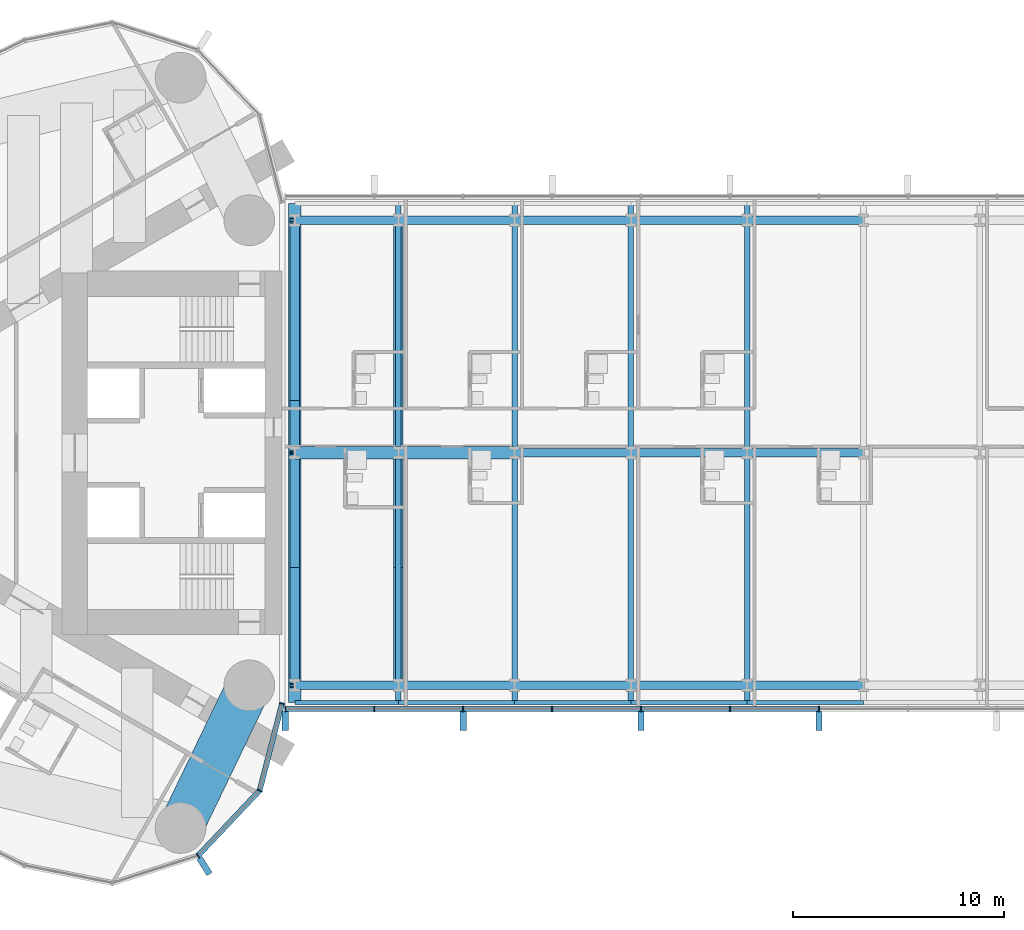
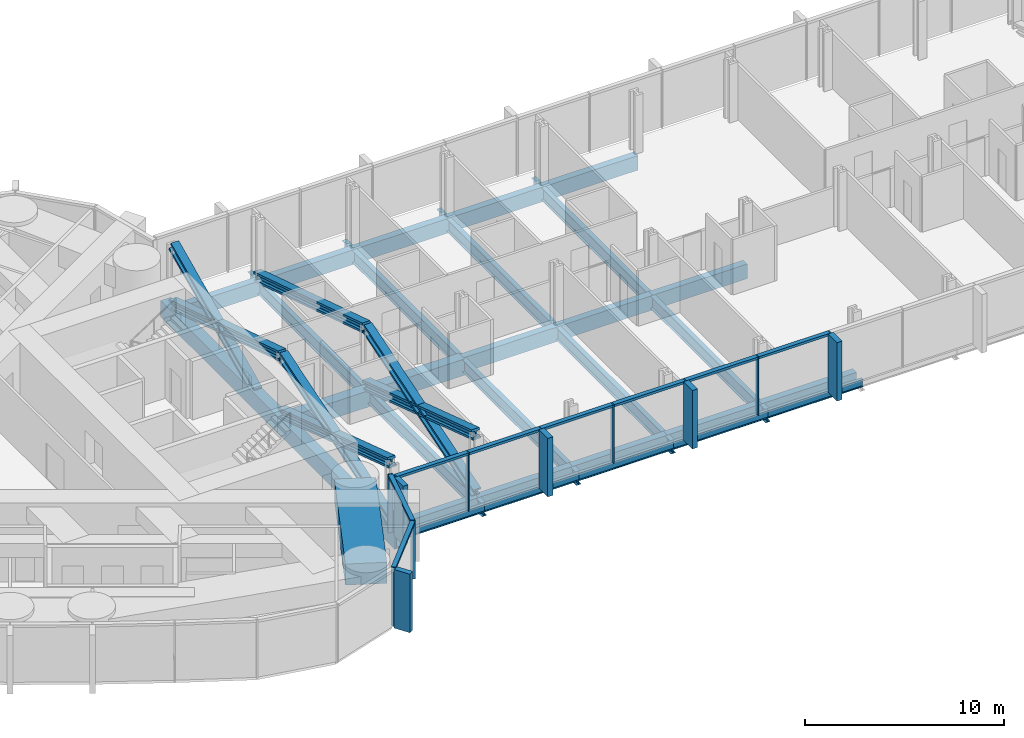
# One storey, part 4 of 22: 31 beams, 30 members, 2 elements without a shape of their own.
"""IFC4 building model written with IfcOpenShell, lengths in metres."""

from ifc_helpers import new_model, si_unit, direction, frame, origin, origin_2d, place, context, subcontext, project, spatial, rectangle, hollow_rectangle, i_section, extrude, material, material_profile, profile_set, type_object, element, aggregate, save


model = new_model("IFC4")

# Units and contexts
model_context = context("Model", 3, precision=1e-05, world=origin(), true_north=direction((0.0, 1.0)))
body_context = subcontext(model_context, "Body", "Model", "MODEL_VIEW")
ifc_project = project(units=[si_unit("LENGTHUNIT", "METRE"), si_unit("AREAUNIT", "SQUARE_METRE"), si_unit("VOLUMEUNIT", "CUBIC_METRE"), si_unit("PLANEANGLEUNIT", "RADIAN"), si_unit("MASSUNIT", "GRAM", prefix="KILO")], contexts=[model_context])

# Site, building, storey
site_placement = place(None, origin())
site = spatial("IfcSite", under=ifc_project, at=site_placement, CompositionType="ELEMENT")
building_placement = place(site_placement, origin())
building = spatial("IfcBuilding", under=site, at=building_placement, Name="Lancet Gate Hotel", CompositionType="ELEMENT")
storey_placement = place(building_placement, frame((0.0, 0.0, 229.699951171875)))
storey = spatial("IfcBuildingStorey", under=building, at=storey_placement, Name="L61", CompositionType="ELEMENT", Elevation=229.699951171875)

# Curtain wall, members
ifc_material_1 = material(Name="Aluminium curtain wall", Category="aluminium")
curtain_wall_type_1 = type_object("IfcCurtainWallType", Name="Tower unitised curtain wall", PredefinedType="USERDEFINED", material=ifc_material_1)
curtain_wall_1_placement = place(storey_placement, origin())
curtain_wall_1 = element("IfcCurtainWall", 1, at=curtain_wall_1_placement, inside=storey, type_object=curtain_wall_type_1, Name="T1 L61 curtain wall 1", ObjectType="UNITISED CURTAIN WALL", PredefinedType="USERDEFINED")
ifc_material_2 = material(Name="Aluminium mullion", Category="aluminium")
ifc_material_profile_1 = material_profile(ifc_material_2, rectangle(XDim=0.06494140625, YDim=0.25, at=origin_2d()), Name="MULLION 65x250")
ifc_profile_set_1 = profile_set([ifc_material_profile_1], Name="Aluminium mullion")
member_type_1 = type_object("IfcMemberType", Name="Aluminium mullion 65x250", PredefinedType="MULLION", material=ifc_profile_set_1)
member_1_placement = place(storey_placement, frame((-31.476318359375, -19.0576171875, 0.0), z_axis=(0.0, 0.0, 1.0), x_axis=(0.846612863, 0.532209225966, 0.0)))
member_1 = element("IfcMember", 2, at=member_1_placement, type_object=member_type_1, Name="T1 L61 curtain wall 1 mullion 23", PredefinedType="MULLION", context=body_context, shape_type="SweptSolid", body=[
    extrude(rectangle(XDim=0.06494140625, YDim=0.25, at=origin_2d()), origin(), (0.0, 0.0, 1.0), 3.60009765625),
])
member_2_placement = place(storey_placement, frame((-28.56005859375, -15.97216796875, 0.0), z_axis=(0.0, 0.0, 1.0), x_axis=(0.483627322447, 0.875274021654, 0.0)))
member_2 = element("IfcMember", 3, at=member_2_placement, type_object=member_type_1, Name="T1 L61 curtain wall 1 mullion 24", PredefinedType="MULLION", context=body_context, shape_type="SweptSolid", body=[
    extrude(rectangle(XDim=0.06494140625, YDim=0.25, at=origin_2d()), origin(), (0.0, 0.0, 1.0), 3.60009765625),
])
member_3_placement = place(storey_placement, frame((-27.5, -11.861572265625, 0.0), z_axis=(0.0, 0.0, 1.0), x_axis=(0.249725827997, 0.968316586056, 0.0)))
member_3 = element("IfcMember", 4, at=member_3_placement, type_object=member_type_1, Name="T1 L61 curtain wall 1 mullion 25", PredefinedType="MULLION", context=body_context, shape_type="SweptSolid", body=[
    extrude(rectangle(XDim=0.06494140625, YDim=0.25, at=origin_2d()), origin(), (0.0, 0.0, 1.0), 3.60009765625),
])

ifc_material_3 = material(Name="Aluminium curtain wall", Category="aluminium")
curtain_wall_type_2 = type_object("IfcCurtainWallType", Name="Bridge block curtain wall", PredefinedType="USERDEFINED", material=ifc_material_3)
curtain_wall_2_placement = place(storey_placement, origin())
curtain_wall_2 = element("IfcCurtainWall", 5, at=curtain_wall_2_placement, inside=storey, type_object=curtain_wall_type_2, Name="Bridge block L61 curtain wall S", ObjectType="UNITISED CURTAIN WALL", PredefinedType="USERDEFINED")
member_4_placement = place(storey_placement, frame((-27.35009765625, -12.1201171875, 0.0), z_axis=(0.0, 0.0, 1.0), x_axis=(1.0, 0.0, 0.0)))
member_4 = element("IfcMember", 6, at=member_4_placement, type_object=member_type_1, Name="Bridge block L61 curtain wall S mullion 1", PredefinedType="MULLION", context=body_context, shape_type="SweptSolid", body=[
    extrude(rectangle(XDim=0.06494140625, YDim=0.25, at=origin_2d()), origin(), (0.0, 0.0, 1.0), 3.60009765625),
])
member_5_placement = place(storey_placement, frame((-23.142333984375, -12.1201171875, 0.0), z_axis=(0.0, 0.0, 1.0), x_axis=(1.0, 0.0, 0.0)))
member_5 = element("IfcMember", 7, at=member_5_placement, type_object=member_type_1, Name="Bridge block L61 curtain wall S mullion 2", PredefinedType="MULLION", context=body_context, shape_type="SweptSolid", body=[
    extrude(rectangle(XDim=0.06494140625, YDim=0.25, at=origin_2d()), origin(), (0.0, 0.0, 1.0), 3.60009765625),
])
member_6_placement = place(storey_placement, frame((-18.9345703125, -12.1201171875, 0.0), z_axis=(0.0, 0.0, 1.0), x_axis=(1.0, 0.0, 0.0)))
member_6 = element("IfcMember", 8, at=member_6_placement, type_object=member_type_1, Name="Bridge block L61 curtain wall S mullion 3", PredefinedType="MULLION", context=body_context, shape_type="SweptSolid", body=[
    extrude(rectangle(XDim=0.06494140625, YDim=0.25, at=origin_2d()), origin(), (0.0, 0.0, 1.0), 3.60009765625),
])
member_7_placement = place(storey_placement, frame((-14.726806640625, -12.1201171875, 0.0), z_axis=(0.0, 0.0, 1.0), x_axis=(1.0, 0.0, 0.0)))
member_7 = element("IfcMember", 9, at=member_7_placement, type_object=member_type_1, Name="Bridge block L61 curtain wall S mullion 4", PredefinedType="MULLION", context=body_context, shape_type="SweptSolid", body=[
    extrude(rectangle(XDim=0.06494140625, YDim=0.25, at=origin_2d()), origin(), (0.0, 0.0, 1.0), 3.60009765625),
])
member_8_placement = place(storey_placement, frame((-10.519287109375, -12.1201171875, 0.0), z_axis=(0.0, 0.0, 1.0), x_axis=(1.0, 0.0, 0.0)))
member_8 = element("IfcMember", 10, at=member_8_placement, type_object=member_type_1, Name="Bridge block L61 curtain wall S mullion 5", PredefinedType="MULLION", context=body_context, shape_type="SweptSolid", body=[
    extrude(rectangle(XDim=0.06494140625, YDim=0.25, at=origin_2d()), origin(), (0.0, 0.0, 1.0), 3.60009765625),
])
member_9_placement = place(storey_placement, frame((-6.3115234375, -12.1201171875, 0.0), z_axis=(0.0, 0.0, 1.0), x_axis=(1.0, 0.0, 0.0)))
member_9 = element("IfcMember", 11, at=member_9_placement, type_object=member_type_1, Name="Bridge block L61 curtain wall S mullion 6", PredefinedType="MULLION", context=body_context, shape_type="SweptSolid", body=[
    extrude(rectangle(XDim=0.06494140625, YDim=0.25, at=origin_2d()), origin(), (0.0, 0.0, 1.0), 3.60009765625),
])
member_10_placement = place(storey_placement, frame((-2.103759765625, -12.1201171875, 0.0), z_axis=(0.0, 0.0, 1.0), x_axis=(1.0, 0.0, 0.0)))
member_10 = element("IfcMember", 12, at=member_10_placement, type_object=member_type_1, Name="Bridge block L61 curtain wall S mullion 7", PredefinedType="MULLION", context=body_context, shape_type="SweptSolid", body=[
    extrude(rectangle(XDim=0.06494140625, YDim=0.25, at=origin_2d()), origin(), (0.0, 0.0, 1.0), 3.60009765625),
])

# Member
ifc_material_4 = material(Name="Aluminium transom", Category="aluminium")
ifc_material_profile_2 = material_profile(ifc_material_4, rectangle(XDim=0.25, YDim=0.14990234375, at=origin_2d()), Name="TRANSOM 250x150")
ifc_profile_set_2 = profile_set([ifc_material_profile_2], Name="Aluminium transom")
member_type_2 = type_object("IfcMemberType", Name="Aluminium transom 250x150", PredefinedType="USERDEFINED", material=ifc_profile_set_2)
member_11_placement = place(storey_placement, frame((-31.453857421875, -19.033935546875, 3.525146484375), z_axis=(0.686880731091, 0.726770157103, 0.0), x_axis=(-0.726770157103, 0.686880731091, 0.0)))
member_11 = element("IfcMember", 13, at=member_11_placement, type_object=member_type_2, Name="T1 L61 curtain wall 1 transom 23", ObjectType="TRANSOM", PredefinedType="USERDEFINED", context=body_context, shape_type="SweptSolid", body=[
    extrude(rectangle(XDim=0.25, YDim=0.14990234375, at=origin_2d()), origin(), (0.0, 0.0, 1.0), 4.18017578125),
])

member_12_placement = place(storey_placement, frame((-28.552001953125, -15.94091796875, 3.525146484375), z_axis=(0.249715522936, 0.968319243641, 0.0), x_axis=(-0.968319243641, 0.249715522936, 0.0)))
member_12 = element("IfcMember", 14, at=member_12_placement, type_object=member_type_2, Name="T1 L61 curtain wall 1 transom 24", ObjectType="TRANSOM", PredefinedType="USERDEFINED", context=body_context, shape_type="SweptSolid", body=[
    extrude(rectangle(XDim=0.25, YDim=0.14990234375, at=origin_2d()), origin(), (0.0, 0.0, 1.0), 4.180419921875),
])

member_13_placement = place(storey_placement, frame((-27.3173828125, -12.1201171875, 3.525146484375), z_axis=(1.0, 0.0, 0.0), x_axis=(0.0, 1.0, 0.0)))
member_13 = element("IfcMember", 15, at=member_13_placement, type_object=member_type_2, Name="Bridge block L61 curtain wall S transom 1", ObjectType="TRANSOM", PredefinedType="USERDEFINED", context=body_context, shape_type="SweptSolid", body=[
    extrude(rectangle(XDim=0.25, YDim=0.14990234375, at=origin_2d()), origin(), (0.0, 0.0, 1.0), 4.142578125),
])

member_14_placement = place(storey_placement, frame((-23.10986328125, -12.1201171875, 3.525146484375), z_axis=(1.0, 0.0, 0.0), x_axis=(0.0, 1.0, 0.0)))
member_14 = element("IfcMember", 16, at=member_14_placement, type_object=member_type_2, Name="Bridge block L61 curtain wall S transom 2", ObjectType="TRANSOM", PredefinedType="USERDEFINED", context=body_context, shape_type="SweptSolid", body=[
    extrude(rectangle(XDim=0.25, YDim=0.14990234375, at=origin_2d()), origin(), (0.0, 0.0, 1.0), 4.142822265625),
])

member_15_placement = place(storey_placement, frame((-18.902099609375, -12.1201171875, 3.525146484375), z_axis=(1.0, 0.0, 0.0), x_axis=(0.0, 1.0, 0.0)))
member_15 = element("IfcMember", 17, at=member_15_placement, type_object=member_type_2, Name="Bridge block L61 curtain wall S transom 3", ObjectType="TRANSOM", PredefinedType="USERDEFINED", context=body_context, shape_type="SweptSolid", body=[
    extrude(rectangle(XDim=0.25, YDim=0.14990234375, at=origin_2d()), origin(), (0.0, 0.0, 1.0), 4.142578125),
])

member_16_placement = place(storey_placement, frame((-14.6943359375, -12.1201171875, 3.525146484375), z_axis=(1.0, 0.0, 0.0), x_axis=(0.0, 1.0, 0.0)))
member_16 = element("IfcMember", 18, at=member_16_placement, type_object=member_type_2, Name="Bridge block L61 curtain wall S transom 4", ObjectType="TRANSOM", PredefinedType="USERDEFINED", context=body_context, shape_type="SweptSolid", body=[
    extrude(rectangle(XDim=0.25, YDim=0.14990234375, at=origin_2d()), origin(), (0.0, 0.0, 1.0), 4.142578125),
])

member_17_placement = place(storey_placement, frame((-10.48681640625, -12.1201171875, 3.525146484375), z_axis=(1.0, 0.0, 0.0), x_axis=(0.0, 1.0, 0.0)))
member_17 = element("IfcMember", 19, at=member_17_placement, type_object=member_type_2, Name="Bridge block L61 curtain wall S transom 5", ObjectType="TRANSOM", PredefinedType="USERDEFINED", context=body_context, shape_type="SweptSolid", body=[
    extrude(rectangle(XDim=0.25, YDim=0.14990234375, at=origin_2d()), origin(), (0.0, 0.0, 1.0), 4.142822265625),
])

member_18_placement = place(storey_placement, frame((-6.279052734375, -12.1201171875, 3.525146484375), z_axis=(1.0, 0.0, 0.0), x_axis=(0.0, 1.0, 0.0)))
member_18 = element("IfcMember", 20, at=member_18_placement, type_object=member_type_2, Name="Bridge block L61 curtain wall S transom 6", ObjectType="TRANSOM", PredefinedType="USERDEFINED", context=body_context, shape_type="SweptSolid", body=[
    extrude(rectangle(XDim=0.25, YDim=0.14990234375, at=origin_2d()), origin(), (0.0, 0.0, 1.0), 4.142822265625),
])

# Members
ifc_material_5 = material(Name="Steel S460", Category="steel")
ifc_material_profile_3 = material_profile(ifc_material_5, i_section(OverallWidth=0.4541015625, OverallDepth=0.569091796875, WebThickness=0.077880859375, FlangeThickness=0.125, FilletRadius=0.02001953125, at=origin_2d()), Name="HD 400x1086")
ifc_profile_set_3 = profile_set([ifc_material_profile_3], Name="Steel S460")
member_type_3 = type_object("IfcMemberType", Name="Block brace HD 400x1086", PredefinedType="BRACE", material=ifc_profile_set_3)
member_19_placement = place(storey_placement, frame((-26.89990234375, -11.0, 0.0), z_axis=(0.0, 0.952925780013, 0.303203657277), x_axis=(-1.0, 0.0, 0.0)))
element("IfcMember", 21, at=member_19_placement, inside=storey, type_object=member_type_3, Name="Block brace WY11 L61", PredefinedType="BRACE", context=body_context, shape_type="SweptSolid", body=[
    extrude(i_section(OverallWidth=0.4541015625, OverallDepth=0.569091796875, WebThickness=0.077880859375, FlangeThickness=0.125, FilletRadius=0.02001953125, at=origin_2d()), origin(), (0.0, 0.0, 1.0), 11.54345703125),
])
member_20_placement = place(storey_placement, frame((-26.89990234375, 0.0, 0.0), z_axis=(0.0, -0.950394634814, 0.311046681573), x_axis=(1.0, 0.0, 0.0)))
element("IfcMember", 22, at=member_20_placement, inside=storey, type_object=member_type_3, Name="Block brace WY12 L61", PredefinedType="BRACE", context=body_context, shape_type="SweptSolid", body=[
    extrude(i_section(OverallWidth=0.4541015625, OverallDepth=0.569091796875, WebThickness=0.077880859375, FlangeThickness=0.125, FilletRadius=0.02001953125, at=origin_2d()), origin(), (0.0, 0.0, 1.0), 11.57421875),
])
for number, where, z_axis, x_axis, name in (
    (23, (-26.89990234375, 11.0, 0.0), (0.0, -0.952925780013, 0.303203657277), (1.0, 0.0, 0.0), "Block brace WY22 L61"),
    (24, (-22.0, -11.0, 0.0), (0.0, 0.952925780013, 0.303203657277), (-1.0, 0.0, 0.0), "Block brace WI11 L61"),
):
    element("IfcMember", number, at=place(storey_placement, frame(where, z_axis=z_axis, x_axis=x_axis)), inside=storey, type_object=member_type_3, Name=name, PredefinedType="BRACE", context=body_context, shape_type="SweptSolid", body=[
        extrude(i_section(OverallWidth=0.4541015625, OverallDepth=0.569091796875, WebThickness=0.077880859375, FlangeThickness=0.125, FilletRadius=0.02001953125, at=origin_2d()), origin(), (0.0, 0.0, 1.0), 11.54345703125),
    ])
member_21_placement = place(storey_placement, frame((-22.0, 0.0, 0.0), z_axis=(0.0, -0.950394634814, 0.311046681573), x_axis=(1.0, 0.0, 0.0)))
element("IfcMember", 25, at=member_21_placement, inside=storey, type_object=member_type_3, Name="Block brace WI12 L61", PredefinedType="BRACE", context=body_context, shape_type="SweptSolid", body=[
    extrude(i_section(OverallWidth=0.4541015625, OverallDepth=0.569091796875, WebThickness=0.077880859375, FlangeThickness=0.125, FilletRadius=0.02001953125, at=origin_2d()), origin(), (0.0, 0.0, 1.0), 11.57421875),
])
member_22_placement = place(storey_placement, frame((-22.0, 11.0, 0.0), z_axis=(0.0, -0.952925780013, 0.303203657277), x_axis=(1.0, 0.0, 0.0)))
element("IfcMember", 26, at=member_22_placement, inside=storey, type_object=member_type_3, Name="Block brace WI22 L61", PredefinedType="BRACE", context=body_context, shape_type="SweptSolid", body=[
    extrude(i_section(OverallWidth=0.4541015625, OverallDepth=0.569091796875, WebThickness=0.077880859375, FlangeThickness=0.125, FilletRadius=0.02001953125, at=origin_2d()), origin(), (0.0, 0.0, 1.0), 11.54345703125),
])
member_23_placement = place(storey_placement, frame((-26.89990234375, 2.60009765625, -0.300048828125), z_axis=(0.0, 0.907001056309, 0.42112834606), x_axis=(-1.0, 0.0, 0.0)))
element("IfcMember", 27, at=member_23_placement, inside=storey, type_object=member_type_3, Name="Block brace WY23 L61", PredefinedType="BRACE", context=body_context, shape_type="SweptSolid", body=[
    extrude(i_section(OverallWidth=0.4541015625, OverallDepth=0.569091796875, WebThickness=0.077880859375, FlangeThickness=0.125, FilletRadius=0.02001953125, at=origin_2d()), origin(), (0.0, 0.0, 1.0), 9.26123046875),
])

# Beams
ifc_material_6 = material(Name="Steel S355", Category="steel")
ifc_material_profile_4 = material_profile(ifc_material_6, i_section(OverallWidth=0.19140625, OverallDepth=0.4599609375, WebThickness=0.010009765625, FlangeThickness=0.01611328125, FilletRadius=0.01025390625, at=origin_2d()), Name="UKB 457x191x82")
ifc_profile_set_4 = profile_set([ifc_material_profile_4], Name="Steel S355")
beam_type_1 = type_object("IfcBeamType", Name="Block edge beam UKB 457x191x82", PredefinedType="SPANDREL", material=ifc_profile_set_4)
beam_1_placement = place(storey_placement, frame((-26.89990234375, -11.800048828125, -0.429931640625), z_axis=(1.0, 0.0, 0.0), x_axis=(0.0, 1.0, 0.0)))
element("IfcBeam", 28, at=beam_1_placement, inside=storey, type_object=beam_type_1, Name="Block edge beam S 0-1 L61", PredefinedType="SPANDREL", context=body_context, shape_type="SweptSolid", body=[
    extrude(i_section(OverallWidth=0.19140625, OverallDepth=0.4599609375, WebThickness=0.010009765625, FlangeThickness=0.01611328125, FilletRadius=0.01025390625, at=origin_2d()), origin(), (0.0, 0.0, 1.0), 4.89990234375),
])
for number, where, z_axis, x_axis, name in (
    (29, (-22.0, -11.800048828125, -0.429931640625), (1.0, 0.0, 0.0), (0.0, 1.0, 0.0), "Block edge beam S 1-2 L61"),
    (30, (-16.5, -11.800048828125, -0.429931640625), (1.0, 0.0, 0.0), (0.0, 1.0, 0.0), "Block edge beam S 2-3 L61"),
    (31, (-11.0, -11.800048828125, -0.429931640625), (1.0, 0.0, 0.0), (0.0, 1.0, 0.0), "Block edge beam S 3-4 L61"),
    (32, (-5.5, -11.800048828125, -0.429931640625), (1.0, 0.0, 0.0), (0.0, 1.0, 0.0), "Block edge beam S 4-5 L61"),
):
    element("IfcBeam", number, at=place(storey_placement, frame(where, z_axis=z_axis, x_axis=x_axis)), inside=storey, type_object=beam_type_1, Name=name, PredefinedType="SPANDREL", context=body_context, shape_type="SweptSolid", body=[
        extrude(i_section(OverallWidth=0.19140625, OverallDepth=0.4599609375, WebThickness=0.010009765625, FlangeThickness=0.01611328125, FilletRadius=0.01025390625, at=origin_2d()), origin(), (0.0, 0.0, 1.0), 5.5),
    ])
ifc_material_7 = material(Name="Steel S460QL", Category="steel")
ifc_material_profile_5 = material_profile(ifc_material_7, hollow_rectangle(XDim=0.60009765625, YDim=1.0, WallThickness=0.10009765625, at=origin_2d()), Name="BOX 1000x600x100")
ifc_profile_set_5 = profile_set([ifc_material_profile_5], Name="Steel S460QL")
beam_type_2 = type_object("IfcBeamType", Name="Block end beam BOX 1000x600x100", PredefinedType="BEAM", material=ifc_profile_set_5)
for number, where, z_axis, x_axis, name in (
    (33, (-26.89990234375, -11.800048828125, -0.699951171875), (0.0, 1.0, 0.0), (-1.0, 0.0, 0.0), "Block beam x0 S L61"),
    (34, (-26.89990234375, 0.0, -0.699951171875), (0.0, 1.0, 0.0), (-1.0, 0.0, 0.0), "Block beam x0 N L61"),
):
    element("IfcBeam", number, at=place(storey_placement, frame(where, z_axis=z_axis, x_axis=x_axis)), inside=storey, type_object=beam_type_2, Name=name, PredefinedType="BEAM", context=body_context, shape_type="SweptSolid", body=[
        extrude(hollow_rectangle(XDim=0.60009765625, YDim=1.0, WallThickness=0.10009765625, at=origin_2d()), origin(), (0.0, 0.0, 1.0), 11.800048828125),
    ])
ifc_material_8 = material(Name="Steel S460QL", Category="steel")
ifc_material_profile_6 = material_profile(ifc_material_8, hollow_rectangle(XDim=0.60009765625, YDim=1.0, WallThickness=0.080078125, at=origin_2d()), Name="BOX 1000x600x80")
ifc_profile_set_6 = profile_set([ifc_material_profile_6], Name="Steel S460QL")
beam_type_3 = type_object("IfcBeamType", Name="Block primary beam BOX 1000x600x80", PredefinedType="BEAM", material=ifc_profile_set_6)
beam_2_placement = place(storey_placement, frame((-26.89990234375, 0.0, -0.699951171875), z_axis=(1.0, 0.0, 0.0), x_axis=(0.0, 1.0, 0.0)))
element("IfcBeam", 35, at=beam_2_placement, inside=storey, type_object=beam_type_3, Name="Block primary beam M 1 L61", PredefinedType="BEAM", context=body_context, shape_type="SweptSolid", body=[
    extrude(hollow_rectangle(XDim=0.60009765625, YDim=1.0, WallThickness=0.080078125, at=origin_2d()), origin(), (0.0, 0.0, 1.0), 4.89990234375),
])
beam_3_placement = place(storey_placement, frame((-22.0, 0.0, -0.699951171875), z_axis=(1.0, 0.0, 0.0), x_axis=(0.0, 1.0, 0.0)))
element("IfcBeam", 36, at=beam_3_placement, inside=storey, type_object=beam_type_3, Name="Block primary beam M 2 L61", PredefinedType="BEAM", context=body_context, shape_type="SweptSolid", body=[
    extrude(hollow_rectangle(XDim=0.60009765625, YDim=1.0, WallThickness=0.080078125, at=origin_2d()), origin(), (0.0, 0.0, 1.0), 5.5),
])
ifc_material_9 = material(Name="Steel S355", Category="steel")
ifc_material_profile_7 = material_profile(ifc_material_9, hollow_rectangle(XDim=0.39990234375, YDim=0.89990234375, WallThickness=0.0400390625, at=origin_2d()), Name="BOX 900x400x40")
ifc_profile_set_7 = profile_set([ifc_material_profile_7], Name="Steel S355")
beam_type_4 = type_object("IfcBeamType", Name="Block primary beam BOX 900x400x40", PredefinedType="BEAM", material=ifc_profile_set_7)
beam_4_placement = place(storey_placement, frame((-26.89990234375, -11.0, -0.64990234375), z_axis=(1.0, 0.0, 0.0), x_axis=(0.0, 1.0, 0.0)))
element("IfcBeam", 37, at=beam_4_placement, inside=storey, type_object=beam_type_4, Name="Block primary beam S 1 L61", PredefinedType="BEAM", context=body_context, shape_type="SweptSolid", body=[
    extrude(hollow_rectangle(XDim=0.39990234375, YDim=0.89990234375, WallThickness=0.0400390625, at=origin_2d()), origin(), (0.0, 0.0, 1.0), 4.89990234375),
])
for number, where, z_axis, x_axis, name in (
    (38, (-22.0, -11.0, -0.64990234375), (1.0, 0.0, 0.0), (0.0, 1.0, 0.0), "Block primary beam S 2 L61"),
    (39, (-16.5, -11.0, -0.64990234375), (1.0, 0.0, 0.0), (0.0, 1.0, 0.0), "Block primary beam S 3 L61"),
    (40, (-11.0, -11.0, -0.64990234375), (1.0, 0.0, 0.0), (0.0, 1.0, 0.0), "Block primary beam S 4 L61"),
    (41, (-5.5, -11.0, -0.64990234375), (1.0, 0.0, 0.0), (0.0, 1.0, 0.0), "Block primary beam S 5 L61"),
    (42, (-16.5, 0.0, -0.64990234375), (1.0, 0.0, 0.0), (0.0, 1.0, 0.0), "Block primary beam M 3 L61"),
    (43, (-11.0, 0.0, -0.64990234375), (1.0, 0.0, 0.0), (0.0, 1.0, 0.0), "Block primary beam M 4 L61"),
    (44, (-5.5, 0.0, -0.64990234375), (1.0, 0.0, 0.0), (0.0, 1.0, 0.0), "Block primary beam M 5 L61"),
):
    element("IfcBeam", number, at=place(storey_placement, frame(where, z_axis=z_axis, x_axis=x_axis)), inside=storey, type_object=beam_type_4, Name=name, PredefinedType="BEAM", context=body_context, shape_type="SweptSolid", body=[
        extrude(hollow_rectangle(XDim=0.39990234375, YDim=0.89990234375, WallThickness=0.0400390625, at=origin_2d()), origin(), (0.0, 0.0, 1.0), 5.5),
    ])
beam_5_placement = place(storey_placement, frame((-26.89990234375, 11.0, -0.64990234375), z_axis=(1.0, 0.0, 0.0), x_axis=(0.0, 1.0, 0.0)))
element("IfcBeam", 45, at=beam_5_placement, inside=storey, type_object=beam_type_4, Name="Block primary beam N 1 L61", PredefinedType="BEAM", context=body_context, shape_type="SweptSolid", body=[
    extrude(hollow_rectangle(XDim=0.39990234375, YDim=0.89990234375, WallThickness=0.0400390625, at=origin_2d()), origin(), (0.0, 0.0, 1.0), 4.89990234375),
])
for number, where, z_axis, x_axis, name in (
    (46, (-22.0, 11.0, -0.64990234375), (1.0, 0.0, 0.0), (0.0, 1.0, 0.0), "Block primary beam N 2 L61"),
    (47, (-16.5, 11.0, -0.64990234375), (1.0, 0.0, 0.0), (0.0, 1.0, 0.0), "Block primary beam N 3 L61"),
    (48, (-11.0, 11.0, -0.64990234375), (1.0, 0.0, 0.0), (0.0, 1.0, 0.0), "Block primary beam N 4 L61"),
    (49, (-5.5, 11.0, -0.64990234375), (1.0, 0.0, 0.0), (0.0, 1.0, 0.0), "Block primary beam N 5 L61"),
):
    element("IfcBeam", number, at=place(storey_placement, frame(where, z_axis=z_axis, x_axis=x_axis)), inside=storey, type_object=beam_type_4, Name=name, PredefinedType="BEAM", context=body_context, shape_type="SweptSolid", body=[
        extrude(hollow_rectangle(XDim=0.39990234375, YDim=0.89990234375, WallThickness=0.0400390625, at=origin_2d()), origin(), (0.0, 0.0, 1.0), 5.5),
    ])
ifc_material_10 = material(Name="Steel S355", Category="steel")
ifc_material_profile_8 = material_profile(ifc_material_10, i_section(OverallWidth=0.26806640625, OverallDepth=0.769775390625, WebThickness=0.015625, FlangeThickness=0.025390625, FilletRadius=0.0166015625, at=origin_2d()), Name="UKB 762x267x197")
ifc_profile_set_8 = profile_set([ifc_material_profile_8], Name="Steel S355")
beam_type_5 = type_object("IfcBeamType", Name="Block secondary beam UKB 762x267x197", PredefinedType="JOIST", material=ifc_profile_set_8)
for number, where, z_axis, x_axis, name in (
    (50, (-22.0, -11.800048828125, -0.5849609375), (0.0, 1.0, 0.0), (-1.0, 0.0, 0.0), "Block beam x1 S L61"),
    (51, (-22.0, 0.0, -0.5849609375), (0.0, 1.0, 0.0), (-1.0, 0.0, 0.0), "Block beam x1 N L61"),
    (52, (-16.5, -11.800048828125, -0.5849609375), (0.0, 1.0, 0.0), (-1.0, 0.0, 0.0), "Block beam x2 S L61"),
    (53, (-16.5, 0.0, -0.5849609375), (0.0, 1.0, 0.0), (-1.0, 0.0, 0.0), "Block beam x2 N L61"),
    (54, (-11.0, -11.800048828125, -0.5849609375), (0.0, 1.0, 0.0), (-1.0, 0.0, 0.0), "Block beam x3 S L61"),
    (55, (-11.0, 0.0, -0.5849609375), (0.0, 1.0, 0.0), (-1.0, 0.0, 0.0), "Block beam x3 N L61"),
    (56, (-5.5, -11.800048828125, -0.5849609375), (0.0, 1.0, 0.0), (-1.0, 0.0, 0.0), "Block beam x4 S L61"),
    (57, (-5.5, 0.0, -0.5849609375), (0.0, 1.0, 0.0), (-1.0, 0.0, 0.0), "Block beam x4 N L61"),
):
    element("IfcBeam", number, at=place(storey_placement, frame(where, z_axis=z_axis, x_axis=x_axis)), inside=storey, type_object=beam_type_5, Name=name, PredefinedType="JOIST", context=body_context, shape_type="SweptSolid", body=[
        extrude(i_section(OverallWidth=0.26806640625, OverallDepth=0.769775390625, WebThickness=0.015625, FlangeThickness=0.025390625, FilletRadius=0.0166015625, at=origin_2d()), origin(), (0.0, 0.0, 1.0), 11.800048828125),
    ])
ifc_material_11 = material(Name="Concrete C50/60", Category="concrete")
ifc_material_profile_9 = material_profile(ifc_material_11, rectangle(XDim=2.10009765625, YDim=1.300048828125, at=origin_2d()), Name="RC 2100x1300")
ifc_profile_set_9 = profile_set([ifc_material_profile_9], Name="Concrete C50/60")
beam_type_6 = type_object("IfcBeamType", Name="Edge beam RC 2100x1300", PredefinedType="SPANDREL", material=ifc_profile_set_9)
beam_6_placement = place(storey_placement, frame((-29.050048828125, -11.0, 2.699951171875), z_axis=(-0.434163599361, -0.900834040759, 0.0), x_axis=(0.900834040759, -0.434163599361, 0.0)))
element("IfcBeam", 58, at=beam_6_placement, inside=storey, type_object=beam_type_6, Name="T1 edge beam EB1 L61", PredefinedType="SPANDREL", context=body_context, shape_type="SweptSolid", body=[
    extrude(rectangle(XDim=2.10009765625, YDim=1.300048828125, at=origin_2d()), origin(), (0.0, 0.0, 1.0), 7.48779296875),
])

# Member
ifc_material_12 = material(Name="Precast concrete C50/60", Category="concrete")
ifc_material_profile_10 = material_profile(ifc_material_12, rectangle(XDim=0.300048828125, YDim=0.89990234375, at=origin_2d()), Name="FIN 300x900")
ifc_profile_set_10 = profile_set([ifc_material_profile_10], Name="Precast concrete C50/60")
member_type_4 = type_object("IfcMemberType", Name="Exposed concrete fin 300x900", PredefinedType="USERDEFINED", material=ifc_profile_set_10)
member_24_placement = place(storey_placement, frame((-31.170166015625, -19.54443359375, 0.0), z_axis=(0.0, 0.0, 1.0), x_axis=(0.846612863, 0.532209225966, 0.0)))
member_24 = element("IfcMember", 59, at=member_24_placement, type_object=member_type_4, Name="T1 L61 curtain wall 1 fin 23", ObjectType="FIN", PredefinedType="USERDEFINED", context=body_context, shape_type="SweptSolid", body=[
    extrude(rectangle(XDim=0.300048828125, YDim=0.89990234375, at=origin_2d()), origin(), (0.0, 0.0, 1.0), 3.60009765625),
])

aggregate(curtain_wall_1, [member_1, member_24, member_2, member_3, member_11, member_12])

member_25_placement = place(storey_placement, frame((-27.35009765625, -12.695068359375, 0.0), z_axis=(0.0, 0.0, 1.0), x_axis=(1.0, 0.0, 0.0)))
member_25 = element("IfcMember", 60, at=member_25_placement, type_object=member_type_4, Name="Bridge block L61 curtain wall S fin 1", ObjectType="FIN", PredefinedType="USERDEFINED", context=body_context, shape_type="SweptSolid", body=[
    extrude(rectangle(XDim=0.300048828125, YDim=0.89990234375, at=origin_2d()), origin(), (0.0, 0.0, 1.0), 3.60009765625),
])

member_26_placement = place(storey_placement, frame((-18.9345703125, -12.695068359375, 0.0), z_axis=(0.0, 0.0, 1.0), x_axis=(1.0, 0.0, 0.0)))
member_26 = element("IfcMember", 61, at=member_26_placement, type_object=member_type_4, Name="Bridge block L61 curtain wall S fin 3", ObjectType="FIN", PredefinedType="USERDEFINED", context=body_context, shape_type="SweptSolid", body=[
    extrude(rectangle(XDim=0.300048828125, YDim=0.89990234375, at=origin_2d()), origin(), (0.0, 0.0, 1.0), 3.60009765625),
])

member_27_placement = place(storey_placement, frame((-10.519287109375, -12.695068359375, 0.0), z_axis=(0.0, 0.0, 1.0), x_axis=(1.0, 0.0, 0.0)))
member_27 = element("IfcMember", 62, at=member_27_placement, type_object=member_type_4, Name="Bridge block L61 curtain wall S fin 5", ObjectType="FIN", PredefinedType="USERDEFINED", context=body_context, shape_type="SweptSolid", body=[
    extrude(rectangle(XDim=0.300048828125, YDim=0.89990234375, at=origin_2d()), origin(), (0.0, 0.0, 1.0), 3.60009765625),
])

member_28_placement = place(storey_placement, frame((-2.103759765625, -12.695068359375, 0.0), z_axis=(0.0, 0.0, 1.0), x_axis=(1.0, 0.0, 0.0)))
member_28 = element("IfcMember", 63, at=member_28_placement, type_object=member_type_4, Name="Bridge block L61 curtain wall S fin 7", ObjectType="FIN", PredefinedType="USERDEFINED", context=body_context, shape_type="SweptSolid", body=[
    extrude(rectangle(XDim=0.300048828125, YDim=0.89990234375, at=origin_2d()), origin(), (0.0, 0.0, 1.0), 3.60009765625),
])

aggregate(curtain_wall_2, [member_4, member_25, member_5, member_6, member_26, member_7, member_8, member_27, member_9, member_10, member_28, member_13, member_14, member_15, member_16, member_17, member_18])

save(model, "model.ifc")
